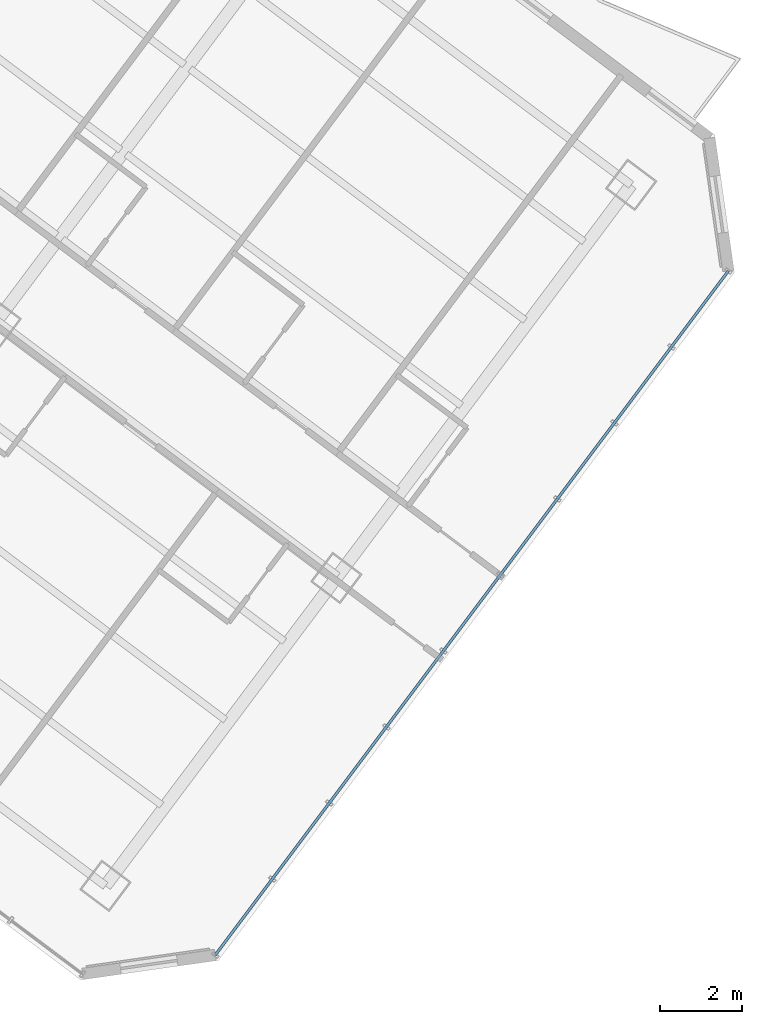
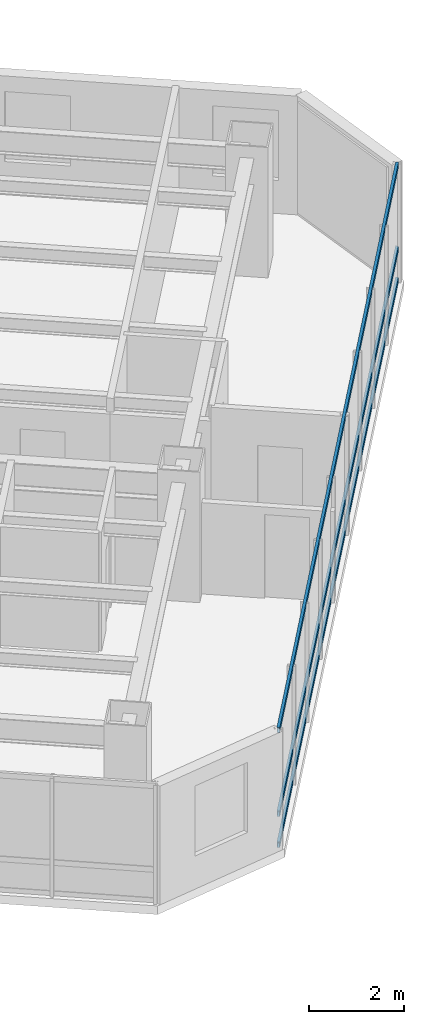
# One storey, part 15 of 36: 3 members, 1 element without a shape of its own.
"""IFC4 building model written with IfcOpenShell, lengths in metres."""

from ifc_helpers import new_model, si_unit, direction, frame, origin, origin_2d, place, context, subcontext, project, spatial, hollow_rectangle, extrude, material, layer, layer_set, material_profile, profile_set, type_object, element, aggregate, save


model = new_model("IFC4")

# Units and contexts
model_context = context("Model", 3, precision=1e-05, world=origin(), true_north=direction((0.0, 1.0)))
body_context = subcontext(model_context, "Body", "Model", "MODEL_VIEW")
ifc_project = project(units=[si_unit("LENGTHUNIT", "METRE"), si_unit("AREAUNIT", "SQUARE_METRE"), si_unit("VOLUMEUNIT", "CUBIC_METRE"), si_unit("PLANEANGLEUNIT", "RADIAN"), si_unit("MASSUNIT", "GRAM", prefix="KILO")], contexts=[model_context])

# Site, building, storey
site_placement = place(None, origin())
site = spatial("IfcSite", under=ifc_project, at=site_placement, CompositionType="ELEMENT")
building_placement = place(site_placement, origin())
building = spatial("IfcBuilding", under=site, at=building_placement, Name="Hatsunagi Terrace Concourse", CompositionType="ELEMENT")
storey_placement = place(building_placement, frame((0.0, 0.0, 88.0)))
storey = spatial("IfcBuildingStorey", under=building, at=storey_placement, Name="L23", CompositionType="ELEMENT", Elevation=88.0)

# Curtain wall, members
ifc_material_1 = material(Name="Anodised Aluminium Alloy 6063-T5", Category="aluminium")
ifc_layer = layer(ifc_material_1, 0.199951171875)
ifc_layer_set = layer_set([ifc_layer], Name="HotelFacade_CW02")
curtain_wall_type = type_object("IfcCurtainWallType", Name="HotelFacade_CW02", PredefinedType="NOTDEFINED", material=ifc_layer_set)
curtain_wall_placement = place(storey_placement, origin())
curtain_wall = element("IfcCurtainWall", 1, at=curtain_wall_placement, inside=storey, type_object=curtain_wall_type, Name="Unitised Curtain Wall CW-02 CW-L23-03", PredefinedType="NOTDEFINED")
ifc_material_2 = material(Name="Anodised Aluminium Alloy 6063-T5", Category="aluminium")
ifc_material_profile = material_profile(ifc_material_2, hollow_rectangle(XDim=0.06494140625, YDim=0.139892578125, WallThickness=0.00390625, at=origin_2d()), Name="ALU-TRN-140x65x4")
ifc_profile_set = profile_set([ifc_material_profile], Name="Anodised Aluminium Alloy 6063-T5")
member_type = type_object("IfcMemberType", Name="CurtainWallTransom_140x65", PredefinedType="USERDEFINED", material=ifc_profile_set)
member_1_placement = place(storey_placement, frame((69.093017578125, 19.657958984375, 0.050048828125), z_axis=(-0.599970072971, -0.800022444397, 0.0), x_axis=(0.800022444397, -0.599970072971, 0.0)))
member_1 = element("IfcMember", 2, at=member_1_placement, type_object=member_type, Name="Curtain Wall Transom TRN-02", ObjectType="TRANSOM", PredefinedType="USERDEFINED", context=body_context, shape_type="SweptSolid", body=[
    extrude(hollow_rectangle(XDim=0.06494140625, YDim=0.139892578125, WallThickness=0.00390625, at=origin_2d()), origin(), (0.0, 0.0, 1.0), 20.884521484375),
])
member_2_placement = place(storey_placement, frame((69.093017578125, 19.657958984375, 0.85009765625), z_axis=(-0.599970072971, -0.800022444397, 0.0), x_axis=(0.800022444397, -0.599970072971, 0.0)))
member_2 = element("IfcMember", 3, at=member_2_placement, type_object=member_type, Name="Curtain Wall Transom TRN-02", ObjectType="TRANSOM", PredefinedType="USERDEFINED", context=body_context, shape_type="SweptSolid", body=[
    extrude(hollow_rectangle(XDim=0.06494140625, YDim=0.139892578125, WallThickness=0.00390625, at=origin_2d()), origin(), (0.0, 0.0, 1.0), 20.884521484375),
])
member_3_placement = place(storey_placement, frame((69.093017578125, 19.657958984375, 3.0), z_axis=(-0.599970072971, -0.800022444397, 0.0), x_axis=(0.800022444397, -0.599970072971, 0.0)))
member_3 = element("IfcMember", 4, at=member_3_placement, type_object=member_type, Name="Curtain Wall Transom TRN-02", ObjectType="TRANSOM", PredefinedType="USERDEFINED", context=body_context, shape_type="SweptSolid", body=[
    extrude(hollow_rectangle(XDim=0.06494140625, YDim=0.139892578125, WallThickness=0.00390625, at=origin_2d()), origin(), (0.0, 0.0, 1.0), 20.884521484375),
])
aggregate(curtain_wall, [member_1, member_2, member_3])

save(model, "model.ifc")
